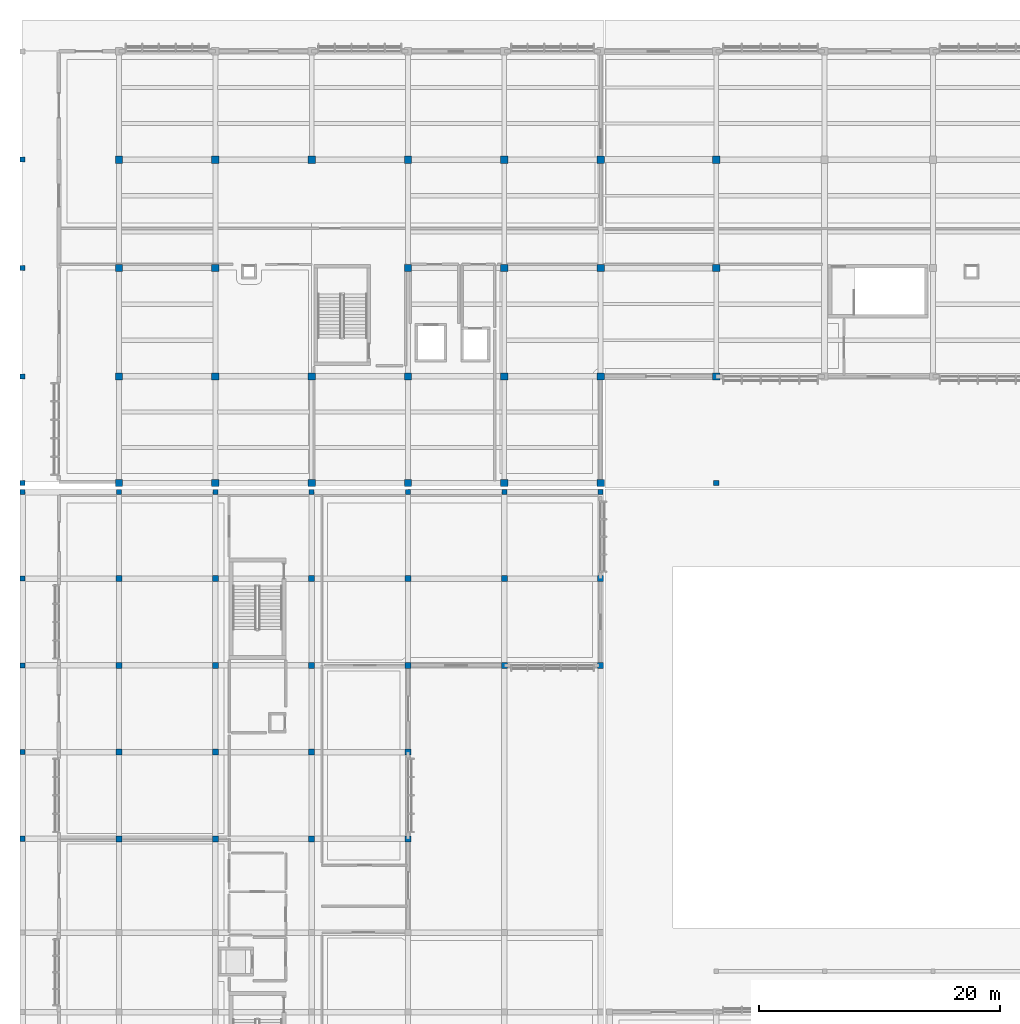
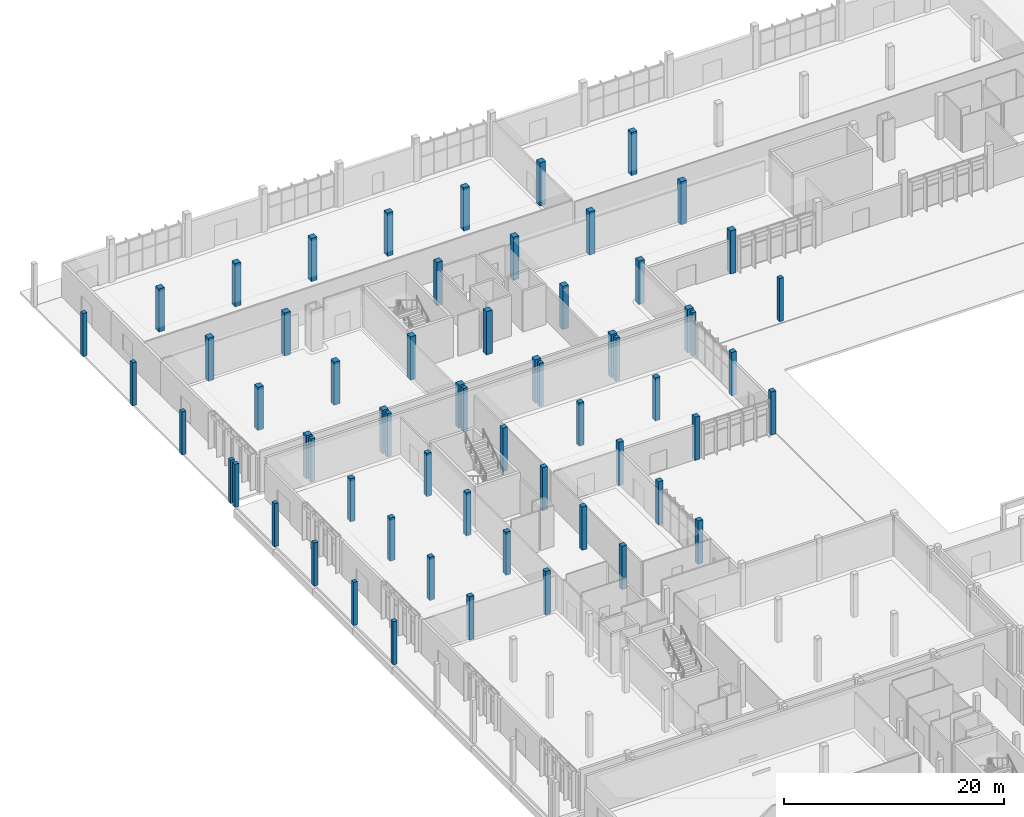
# One storey, part 4 of 151: 62 columns.
"""IFC4 building model written with IfcOpenShell, lengths in metres."""

from ifc_helpers import new_model, si_unit, direction, frame, origin, origin_2d, place, context, subcontext, project, spatial, rectangle, extrude, material, material_profile, profile_set, type_object, element, save


model = new_model("IFC4")

# Units and contexts
model_context = context("Model", 3, precision=1e-05, world=origin(), true_north=direction((0.0, 1.0)))
body_context = subcontext(model_context, "Body", "Model", "MODEL_VIEW")
ifc_project = project(units=[si_unit("LENGTHUNIT", "METRE"), si_unit("AREAUNIT", "SQUARE_METRE"), si_unit("VOLUMEUNIT", "CUBIC_METRE"), si_unit("PLANEANGLEUNIT", "RADIAN"), si_unit("MASSUNIT", "GRAM", prefix="KILO")], contexts=[model_context])

# Site, building, storey
site_placement = place(None, origin())
site = spatial("IfcSite", under=ifc_project, at=site_placement, CompositionType="ELEMENT")
building_placement = place(site_placement, origin())
building = spatial("IfcBuilding", under=site, at=building_placement, Name="Chiffa Square Polytechnic", CompositionType="ELEMENT")
storey_placement = place(building_placement, origin())
storey = spatial("IfcBuildingStorey", under=building, at=storey_placement, Name="L00", CompositionType="ELEMENT", Elevation=0.0)

# Columns
ifc_material_1 = material(Name="Glulam GL32c", Category="wood")
ifc_material_profile_1 = material_profile(ifc_material_1, rectangle(XDim=0.419921875, YDim=0.419921875, at=origin_2d()), Name="GL32c 420x420")
ifc_profile_set_1 = profile_set([ifc_material_profile_1], Name="Glulam GL32c")
column_type_1 = type_object("IfcColumnType", Name="COL-GL-420", PredefinedType="COLUMN", material=ifc_profile_set_1)
for number, where, z_axis, x_axis, name in (
    (1, (0.0, 94.949951171875, 0.0), (0.0, 0.0, 1.0), (1.0, 0.0, 0.0), "Column C-V5-L00-0000-0950"),
    (2, (0.0, 103.800048828125, 0.0), (0.0, 0.0, 1.0), (1.0, 0.0, 0.0), "Column C-V5-L00-0000-1038"),
    (3, (0.0, 112.800048828125, 0.0), (0.0, 0.0, 1.0), (1.0, 0.0, 0.0), "Column C-V5-L00-0000-1128"),
    (4, (0.0, 121.800048828125, 0.0), (0.0, 0.0, 1.0), (1.0, 0.0, 0.0), "Column C-V5-L00-0000-1218"),
    (5, (57.60009765625, 94.949951171875, 0.0), (0.0, 0.0, 1.0), (1.0, 0.0, 0.0), "Column C-V5-L00-0576-0950"),
    (6, (0.0, 65.39990234375, 0.0), (0.0, 0.0, 1.0), (1.0, 0.0, 0.0), "Column C-V6-L00-0000-0654"),
    (7, (0.0, 72.60009765625, 0.0), (0.0, 0.0, 1.0), (1.0, 0.0, 0.0), "Column C-V6-L00-0000-0726"),
    (8, (0.0, 79.800048828125, 0.0), (0.0, 0.0, 1.0), (1.0, 0.0, 0.0), "Column C-V6-L00-0000-0798"),
    (9, (0.0, 87.0, 0.0), (0.0, 0.0, 1.0), (1.0, 0.0, 0.0), "Column C-V6-L00-0000-0870"),
    (10, (0.0, 94.199951171875, 0.0), (0.0, 0.0, 1.0), (1.0, 0.0, 0.0), "Column C-V6-L00-0000-0942"),
    (11, (8.0, 94.199951171875, 0.0), (0.0, 0.0, 1.0), (1.0, 0.0, 0.0), "Column C-V6-L00-0080-0942"),
    (12, (16.0, 94.199951171875, 0.0), (0.0, 0.0, 1.0), (1.0, 0.0, 0.0), "Column C-V6-L00-0160-0942"),
    (13, (24.0, 94.199951171875, 0.0), (0.0, 0.0, 1.0), (1.0, 0.0, 0.0), "Column C-V6-L00-0240-0942"),
    (14, (32.0, 94.199951171875, 0.0), (0.0, 0.0, 1.0), (1.0, 0.0, 0.0), "Column C-V6-L00-0320-0942"),
    (15, (40.0, 94.199951171875, 0.0), (0.0, 0.0, 1.0), (1.0, 0.0, 0.0), "Column C-V6-L00-0400-0942"),
    (16, (48.0, 94.199951171875, 0.0), (0.0, 0.0, 1.0), (1.0, 0.0, 0.0), "Column C-V6-L00-0480-0942"),
):
    element("IfcColumn", number, at=place(storey_placement, frame(where, z_axis=z_axis, x_axis=x_axis)), inside=storey, type_object=column_type_1, Name=name, PredefinedType="COLUMN", context=body_context, shape_type="SweptSolid", body=[
        extrude(rectangle(XDim=0.419921875, YDim=0.419921875, at=origin_2d()), origin(), (0.0, 0.0, 1.0), 4.800048828125),
    ])
ifc_material_2 = material(Name="Concrete C35/45", Category="concrete")
ifc_material_profile_2 = material_profile(ifc_material_2, rectangle(XDim=0.5, YDim=0.5, at=origin_2d()), Name="RC 500x500")
ifc_profile_set_2 = profile_set([ifc_material_profile_2], Name="Concrete C35/45")
column_type_2 = type_object("IfcColumnType", Name="COL-RC-500", PredefinedType="COLUMN", material=ifc_profile_set_2)
for number, where, z_axis, x_axis, name in (
    (17, (8.0, 65.39990234375, 0.0), (0.0, 0.0, 1.0), (1.0, 0.0, 0.0), "Column C-V6-L00-0080-0654"),
    (18, (8.0, 72.60009765625, 0.0), (0.0, 0.0, 1.0), (1.0, 0.0, 0.0), "Column C-V6-L00-0080-0726"),
    (19, (8.0, 79.800048828125, 0.0), (0.0, 0.0, 1.0), (1.0, 0.0, 0.0), "Column C-V6-L00-0080-0798"),
    (20, (8.0, 87.0, 0.0), (0.0, 0.0, 1.0), (1.0, 0.0, 0.0), "Column C-V6-L00-0080-0870"),
    (21, (16.0, 65.39990234375, 0.0), (0.0, 0.0, 1.0), (1.0, 0.0, 0.0), "Column C-V6-L00-0160-0654"),
    (22, (16.0, 72.60009765625, 0.0), (0.0, 0.0, 1.0), (1.0, 0.0, 0.0), "Column C-V6-L00-0160-0726"),
    (23, (16.0, 79.800048828125, 0.0), (0.0, 0.0, 1.0), (1.0, 0.0, 0.0), "Column C-V6-L00-0160-0798"),
    (24, (16.0, 87.0, 0.0), (0.0, 0.0, 1.0), (1.0, 0.0, 0.0), "Column C-V6-L00-0160-0870"),
    (25, (24.0, 65.39990234375, 0.0), (0.0, 0.0, 1.0), (1.0, 0.0, 0.0), "Column C-V6-L00-0240-0654"),
    (26, (24.0, 72.60009765625, 0.0), (0.0, 0.0, 1.0), (1.0, 0.0, 0.0), "Column C-V6-L00-0240-0726"),
    (27, (24.0, 79.800048828125, 0.0), (0.0, 0.0, 1.0), (1.0, 0.0, 0.0), "Column C-V6-L00-0240-0798"),
    (28, (24.0, 87.0, 0.0), (0.0, 0.0, 1.0), (1.0, 0.0, 0.0), "Column C-V6-L00-0240-0870"),
    (29, (32.0, 65.39990234375, 0.0), (0.0, 0.0, 1.0), (1.0, 0.0, 0.0), "Column C-V6-L00-0320-0654"),
    (30, (32.0, 72.60009765625, 0.0), (0.0, 0.0, 1.0), (1.0, 0.0, 0.0), "Column C-V6-L00-0320-0726"),
    (31, (32.0, 79.800048828125, 0.0), (0.0, 0.0, 1.0), (1.0, 0.0, 0.0), "Column C-V6-L00-0320-0798"),
    (32, (32.0, 87.0, 0.0), (0.0, 0.0, 1.0), (1.0, 0.0, 0.0), "Column C-V6-L00-0320-0870"),
    (33, (40.0, 79.800048828125, 0.0), (0.0, 0.0, 1.0), (1.0, 0.0, 0.0), "Column C-V6-L00-0400-0798"),
    (34, (40.0, 87.0, 0.0), (0.0, 0.0, 1.0), (1.0, 0.0, 0.0), "Column C-V6-L00-0400-0870"),
    (35, (48.0, 79.800048828125, 0.0), (0.0, 0.0, 1.0), (1.0, 0.0, 0.0), "Column C-V6-L00-0480-0798"),
    (36, (48.0, 87.0, 0.0), (0.0, 0.0, 1.0), (1.0, 0.0, 0.0), "Column C-V6-L00-0480-0870"),
):
    element("IfcColumn", number, at=place(storey_placement, frame(where, z_axis=z_axis, x_axis=x_axis)), inside=storey, type_object=column_type_2, Name=name, PredefinedType="COLUMN", context=body_context, shape_type="SweptSolid", body=[
        extrude(rectangle(XDim=0.5, YDim=0.5, at=origin_2d()), origin(), (0.0, 0.0, 1.0), 4.800048828125),
    ])
ifc_material_3 = material(Name="Concrete C40/50", Category="concrete")
ifc_material_profile_3 = material_profile(ifc_material_3, rectangle(XDim=0.60009765625, YDim=0.60009765625, at=origin_2d()), Name="RC 600x600")
ifc_profile_set_3 = profile_set([ifc_material_profile_3], Name="Concrete C40/50")
column_type_3 = type_object("IfcColumnType", Name="COL-RC-600", PredefinedType="COLUMN", material=ifc_profile_set_3)
for number, where, z_axis, x_axis, name in (
    (37, (8.0, 94.949951171875, 0.0), (0.0, 0.0, 1.0), (1.0, 0.0, 0.0), "Column C-V5-L00-0080-0950"),
    (38, (8.0, 103.800048828125, 0.0), (0.0, 0.0, 1.0), (1.0, 0.0, 0.0), "Column C-V5-L00-0080-1038"),
    (39, (8.0, 112.800048828125, 0.0), (0.0, 0.0, 1.0), (1.0, 0.0, 0.0), "Column C-V5-L00-0080-1128"),
    (40, (8.0, 121.800048828125, 0.0), (0.0, 0.0, 1.0), (1.0, 0.0, 0.0), "Column C-V5-L00-0080-1218"),
    (41, (16.0, 94.949951171875, 0.0), (0.0, 0.0, 1.0), (1.0, 0.0, 0.0), "Column C-V5-L00-0160-0950"),
    (42, (16.0, 103.800048828125, 0.0), (0.0, 0.0, 1.0), (1.0, 0.0, 0.0), "Column C-V5-L00-0160-1038"),
    (43, (16.0, 112.800048828125, 0.0), (0.0, 0.0, 1.0), (1.0, 0.0, 0.0), "Column C-V5-L00-0160-1128"),
    (44, (16.0, 121.800048828125, 0.0), (0.0, 0.0, 1.0), (1.0, 0.0, 0.0), "Column C-V5-L00-0160-1218"),
    (45, (24.0, 94.949951171875, 0.0), (0.0, 0.0, 1.0), (1.0, 0.0, 0.0), "Column C-V5-L00-0240-0950"),
    (46, (24.0, 103.800048828125, 0.0), (0.0, 0.0, 1.0), (1.0, 0.0, 0.0), "Column C-V5-L00-0240-1038"),
    (47, (24.0, 121.800048828125, 0.0), (0.0, 0.0, 1.0), (1.0, 0.0, 0.0), "Column C-V5-L00-0240-1218"),
    (48, (32.0, 94.949951171875, 0.0), (0.0, 0.0, 1.0), (1.0, 0.0, 0.0), "Column C-V5-L00-0320-0950"),
    (49, (32.0, 103.800048828125, 0.0), (0.0, 0.0, 1.0), (1.0, 0.0, 0.0), "Column C-V5-L00-0320-1038"),
    (50, (32.0, 112.800048828125, 0.0), (0.0, 0.0, 1.0), (1.0, 0.0, 0.0), "Column C-V5-L00-0320-1128"),
    (51, (32.0, 121.800048828125, 0.0), (0.0, 0.0, 1.0), (1.0, 0.0, 0.0), "Column C-V5-L00-0320-1218"),
    (52, (40.0, 94.949951171875, 0.0), (0.0, 0.0, 1.0), (1.0, 0.0, 0.0), "Column C-V5-L00-0400-0950"),
    (53, (40.0, 103.800048828125, 0.0), (0.0, 0.0, 1.0), (1.0, 0.0, 0.0), "Column C-V5-L00-0400-1038"),
    (54, (40.0, 112.800048828125, 0.0), (0.0, 0.0, 1.0), (1.0, 0.0, 0.0), "Column C-V5-L00-0400-1128"),
    (55, (40.0, 121.800048828125, 0.0), (0.0, 0.0, 1.0), (1.0, 0.0, 0.0), "Column C-V5-L00-0400-1218"),
    (56, (48.0, 94.949951171875, 0.0), (0.0, 0.0, 1.0), (1.0, 0.0, 0.0), "Column C-V5-L00-0480-0950"),
    (57, (48.0, 103.800048828125, 0.0), (0.0, 0.0, 1.0), (1.0, 0.0, 0.0), "Column C-V5-L00-0480-1038"),
    (58, (48.0, 112.800048828125, 0.0), (0.0, 0.0, 1.0), (1.0, 0.0, 0.0), "Column C-V5-L00-0480-1128"),
    (59, (48.0, 121.800048828125, 0.0), (0.0, 0.0, 1.0), (1.0, 0.0, 0.0), "Column C-V5-L00-0480-1218"),
    (60, (57.60009765625, 103.800048828125, 0.0), (0.0, 0.0, 1.0), (1.0, 0.0, 0.0), "Column C-V5-L00-0576-1038"),
    (61, (57.60009765625, 112.800048828125, 0.0), (0.0, 0.0, 1.0), (1.0, 0.0, 0.0), "Column C-V5-L00-0576-1128"),
    (62, (57.60009765625, 121.800048828125, 0.0), (0.0, 0.0, 1.0), (1.0, 0.0, 0.0), "Column C-V5-L00-0576-1218"),
):
    element("IfcColumn", number, at=place(storey_placement, frame(where, z_axis=z_axis, x_axis=x_axis)), inside=storey, type_object=column_type_3, Name=name, PredefinedType="COLUMN", context=body_context, shape_type="SweptSolid", body=[
        extrude(rectangle(XDim=0.60009765625, YDim=0.60009765625, at=origin_2d()), origin(), (0.0, 0.0, 1.0), 4.800048828125),
    ])

save(model, "model.ifc")
